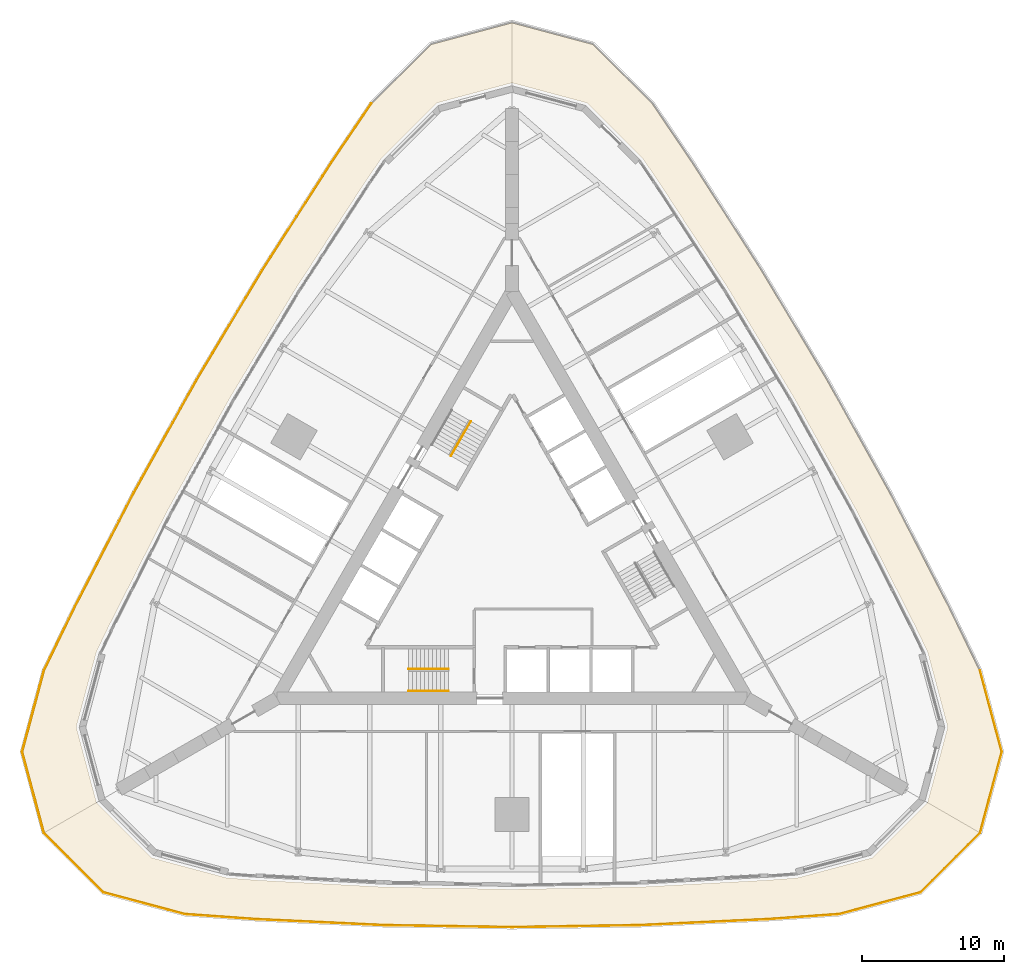
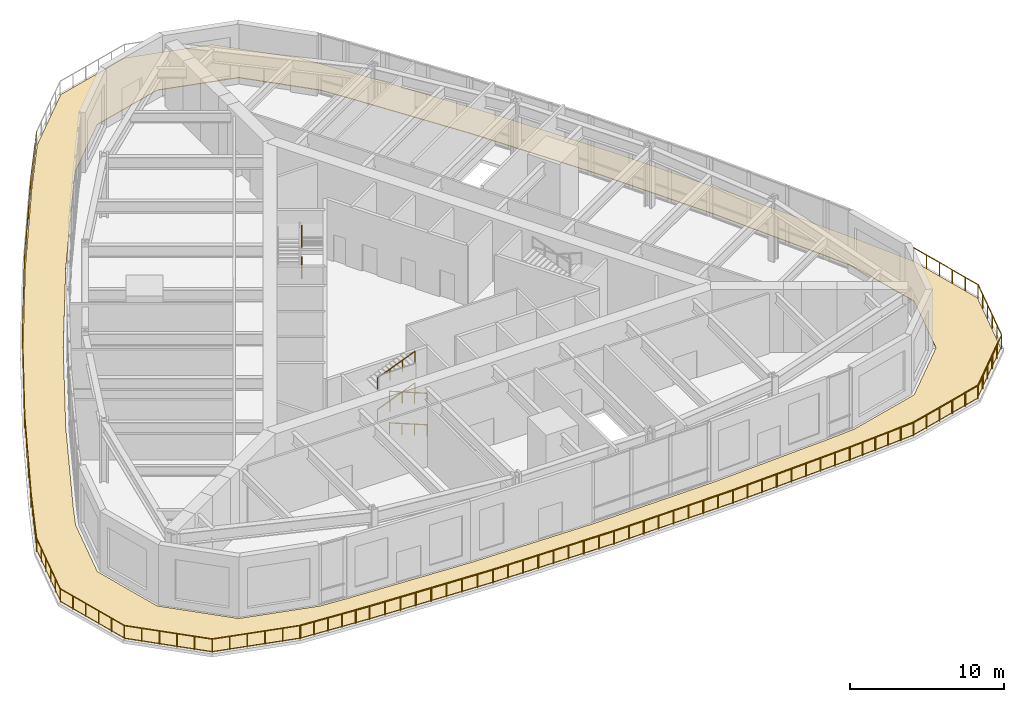
# One storey, part 12 of 13: 8 railings, 1 covering.
"""IFC4 building model written with IfcOpenShell, lengths in metres."""

import ifcopenshell
import ifcopenshell.guid

model = None  # the IFC model being written
_history = None  # IfcOwnerHistory: only IFC2X3 demands one
_inside = {}  # id of a spatial element -> (the spatial element, [elements in it])
_under = {}  # id of a project, library or spatial element -> (it, [spatial elements below it])
_declared = {}  # id of a project -> (the project, [libraries it declares])
_typed = {}  # id of a type object -> (the type object, [elements of that type])
_made_of = {}  # id of a material, layer set ... -> (it, [elements and type objects made of it])


def new_model(schema):
    """Start an empty IFC model of exactly this schema.

    Asked for "IFC4X3", IfcOpenShell would pick the latest addendum, in which some entities
    have other attributes; the version numbers below select the first issue.
    IFC2X3 requires an IfcOwnerHistory on every rooted entity: one is made here for all.
    """
    global model, _history
    if schema == "IFC4X3":
        model = ifcopenshell.file(schema_version=(4, 3, 0, 0))
    else:
        model = ifcopenshell.file(schema=schema)
    _inside.clear()
    _under.clear()
    _declared.clear()
    _typed.clear()
    _made_of.clear()
    _history = None
    if model.schema == "IFC2X3":
        org = make("IfcOrganization", Name="unknown")
        user = make(
            "IfcPersonAndOrganization",
            ThePerson=make("IfcPerson", FamilyName="unknown"),
            TheOrganization=org,
        )
        app = make(
            "IfcApplication",
            ApplicationDeveloper=org,
            Version="unknown",
            ApplicationFullName="unknown",
            ApplicationIdentifier="unknown",
        )
        _history = make(
            "IfcOwnerHistory",
            OwningUser=user,
            OwningApplication=app,
            ChangeAction="ADDED",
            CreationDate=0,
        )
    return model


def make(cls, **values):
    """One entity of the class cls with the attributes given. An attribute that is None is left unset."""
    return model.create_entity(
        cls, **{name: value for name, value in values.items() if value is not None}
    )


def rooted(cls, **values):
    """An entity with a GlobalId (a new one), such as an element, a storey or a relation."""
    return make(cls, GlobalId=ifcopenshell.guid.new(), OwnerHistory=_history, **values)


def si_unit(unit_type, name, prefix=None):
    """IfcSIUnit, for example si_unit("LENGTHUNIT", "METRE", prefix="MILLI")."""
    return make("IfcSIUnit", UnitType=unit_type, Prefix=prefix, Name=name)


def assignment(units):
    """IfcUnitAssignment: the units of a project."""
    return None if units is None else make("IfcUnitAssignment", Units=units)


def point(xyz):
    """IfcCartesianPoint."""
    return None if xyz is None else make("IfcCartesianPoint", Coordinates=xyz)


def direction(xyz):
    """IfcDirection."""
    return None if xyz is None else make("IfcDirection", DirectionRatios=xyz)


def frame(location, z_axis=None, x_axis=None):
    """IfcAxis2Placement3D, a coordinate frame: its origin and axes. An axis left out is left unset."""
    return make(
        "IfcAxis2Placement3D",
        Location=point(location),
        Axis=direction(z_axis),
        RefDirection=direction(x_axis),
    )


def frame_2d(location, x_axis=None):
    """IfcAxis2Placement2D, a coordinate frame in the plane: its origin and x axis."""
    return make(
        "IfcAxis2Placement2D", Location=point(location), RefDirection=direction(x_axis)
    )


def origin():
    """The frame at (0, 0, 0) with its axes left unset."""
    return frame((0.0, 0.0, 0.0))


def origin_2d():
    """The frame at (0, 0) in the plane with its x axis left unset."""
    return frame_2d((0.0, 0.0))


def place(relative_to, where):
    """IfcLocalPlacement: puts the frame where relative to a parent placement (None: the world)."""
    return make(
        "IfcLocalPlacement", PlacementRelTo=relative_to, RelativePlacement=where
    )


def context(
    kind, dimensions, precision=None, world=None, true_north=None, identifier=None
):
    """IfcGeometricRepresentationContext, for example the 3D "Model" context."""
    return make(
        "IfcGeometricRepresentationContext",
        ContextIdentifier=identifier,
        ContextType=kind,
        CoordinateSpaceDimension=dimensions,
        Precision=precision,
        WorldCoordinateSystem=world,
        TrueNorth=true_north,
    )


def subcontext(parent, identifier, kind, view, scale=None):
    """IfcGeometricRepresentationSubContext, for example "Body" below "Model"."""
    return make(
        "IfcGeometricRepresentationSubContext",
        ContextIdentifier=identifier,
        ContextType=kind,
        ParentContext=parent,
        TargetScale=scale,
        TargetView=view,
    )


def project(units=None, contexts=None):
    """IfcProject with its units and contexts."""
    return rooted(
        "IfcProject",
        Name="project",
        RepresentationContexts=contexts,
        UnitsInContext=assignment(units),
    )


def spatial(cls, under=None, at=None, **own):
    """A site, building, storey or space (cls), placed at a placement, below another one or the project."""
    s = rooted(cls, ObjectPlacement=at, **own)
    if under is not None:
        _under.setdefault(under.id(), (under, []))[1].append(s)
    return s


def polyline(points):
    """IfcPolyline through the points."""
    return make("IfcPolyline", Points=[point(p) for p in points])


def profile(cls, at=None, kind="AREA", **sizes):
    """A parametric profile (cls). Its sizes go by their IFC names, for example OverallWidth=200.0."""
    return make(cls, ProfileType=kind, Position=at, **sizes)


def circle(**sizes):
    """IfcCircleProfileDef."""
    return profile("IfcCircleProfileDef", **sizes)


def outline(outer, holes=None, kind="AREA"):
    """IfcArbitraryClosedProfileDef: a profile drawn as a closed curve; with holes, ...WithVoids."""
    if holes is None:
        return make("IfcArbitraryClosedProfileDef", ProfileType=kind, OuterCurve=outer)
    return make(
        "IfcArbitraryProfileDefWithVoids",
        ProfileType=kind,
        OuterCurve=outer,
        InnerCurves=holes,
    )


def extrude(swept, where, along, depth):
    """IfcExtrudedAreaSolid: the profile swept, set in the frame where, extruded along a direction by depth."""
    return make(
        "IfcExtrudedAreaSolid",
        SweptArea=swept,
        Position=where,
        ExtrudedDirection=direction(along),
        Depth=depth,
    )


def shape(context_of_items, identifier, shape_type, items):
    """IfcShapeRepresentation: the items that make up one representation, for example the "Body"."""
    return make(
        "IfcShapeRepresentation",
        ContextOfItems=context_of_items,
        RepresentationIdentifier=identifier,
        RepresentationType=shape_type,
        Items=items,
    )


def material(Name=None, Category=None):
    """IfcMaterial."""
    return make("IfcMaterial", Name=Name, Category=Category)


def layer(
    of_material, thickness, ventilated=None, Name=None, Category=None, Priority=None
):
    """IfcMaterialLayer: one layer of a wall or slab, of a material (None: an air gap)."""
    return make(
        "IfcMaterialLayer",
        Material=of_material,
        LayerThickness=thickness,
        IsVentilated=ventilated,
        Name=Name,
        Category=Category,
        Priority=Priority,
    )


def layer_set(layers, Name=None):
    """IfcMaterialLayerSet."""
    return make("IfcMaterialLayerSet", MaterialLayers=layers, LayerSetName=Name)


def made_of(thing, what):
    """Note that an element or type object is made of a material, layer set ...; save() writes the relation."""
    if what is not None:
        _made_of.setdefault(what.id(), (what, []))[1].append(thing)
    return thing


def type_object(cls, material=None, **own):
    """A type object (cls), such as IfcWallType, which elements share."""
    return made_of(rooted(cls, **own), material)


def element(
    cls,
    number,
    at=None,
    inside=None,
    cuts=None,
    type_object=None,
    material=None,
    context=None,
    identifier="Body",
    shape_type=None,
    held_by="IfcProductDefinitionShape",
    body=None,
    shapes=None,
    **own,
):
    """One element of the class cls, such as IfcWall. Its Tag is "e" and its number.

    at: its placement. inside: the storey or other place that contains it. cuts: it is an
    opening in that element (IfcRelVoidsElement). A single representation is given by context,
    identifier, shape_type and body (its items); several are given by shapes. held_by: the class
    of the entity that holds the representations. save() writes the other relations.
    """
    e = rooted(cls, Tag="e%d" % number, ObjectPlacement=at, **own)
    if body is not None:
        shapes = [shape(context, identifier, shape_type, body)]
    if shapes is not None:
        e.Representation = make(held_by, Representations=shapes)
    if inside is not None:
        _inside.setdefault(inside.id(), (inside, []))[1].append(e)
    if cuts is not None:
        rooted(
            "IfcRelVoidsElement", RelatingBuildingElement=cuts, RelatedOpeningElement=e
        )
    if type_object is not None:
        _typed.setdefault(type_object.id(), (type_object, []))[1].append(e)
    return made_of(e, material)


def aggregate(whole, parts):
    """IfcRelAggregates: a whole, such as a stair, and the parts it consists of."""
    return rooted("IfcRelAggregates", RelatingObject=whole, RelatedObjects=parts)


def save(model, path):
    """Write the relations noted so far, then the file.

    IfcRelAggregates (storeys below a building ...), IfcRelContainedInSpatialStructure (elements
    in a storey), IfcRelDefinesByType, IfcRelAssociatesMaterial and IfcRelDeclares: one each for
    every whole, place, type object, material and project.
    """
    for whole, parts in _under.values():
        aggregate(whole, parts)
    for where, things in _inside.values():
        rooted(
            "IfcRelContainedInSpatialStructure",
            RelatedElements=things,
            RelatingStructure=where,
        )
    for kind, things in _typed.values():
        rooted("IfcRelDefinesByType", RelatedObjects=things, RelatingType=kind)
    for what, things in _made_of.values():
        rooted("IfcRelAssociatesMaterial", RelatedObjects=things, RelatingMaterial=what)
    for by, libraries in _declared.values():
        rooted("IfcRelDeclares", RelatingContext=by, RelatedDefinitions=libraries)
    model.write(path)


model = new_model("IFC4")

# Units and contexts
model_context = context("Model", 3, precision=1e-05, world=origin(), true_north=direction((0.0, 1.0)))
body_context = subcontext(model_context, "Body", "Model", "MODEL_VIEW")
ifc_project = project(units=[si_unit("LENGTHUNIT", "METRE"), si_unit("AREAUNIT", "SQUARE_METRE"), si_unit("VOLUMEUNIT", "CUBIC_METRE"), si_unit("PLANEANGLEUNIT", "RADIAN"), si_unit("MASSUNIT", "GRAM", prefix="KILO")], contexts=[model_context])

# Site, building, storey
site_placement = place(None, origin())
site = spatial("IfcSite", under=ifc_project, at=site_placement, CompositionType="ELEMENT")
building_placement = place(site_placement, origin())
building = spatial("IfcBuilding", under=site, at=building_placement, Name="Trikona Tower", CompositionType="ELEMENT")
storey_placement = place(building_placement, frame((0.0, 0.0, 17.5)))
storey = spatial("IfcBuildingStorey", under=building, at=storey_placement, Name="L03", CompositionType="ELEMENT", Elevation=17.5)

# Railings
ifc_material_1 = material(Name="Stainless steel handrail", Category="steel")
railing_type_1 = type_object("IfcRailingType", Name="Stair handrail", PredefinedType="HANDRAIL", material=ifc_material_1)
railing_1_placement = place(storey_placement, frame((-4.449951171875, -9.016357421875, 0.113525390625)))
element("IfcRailing", 1, at=railing_1_placement, inside=storey, type_object=railing_type_1, Name="Stair handrail A L03 1", PredefinedType="HANDRAIL", context=body_context, shape_type="SweptSolid", body=[
    extrude(circle(Radius=0.02392578125, at=origin_2d()), frame((0.0, 0.0, 0.8759765625), z_axis=(-0.926587139796, 0.0, 0.37608014088), x_axis=(0.0, -1.0, 0.0)), (0.0, 0.0, 1.0), 3.02197265625),
    extrude(circle(Radius=0.02099609375, at=origin_2d()), origin(), (0.0, 0.0, 1.0), 0.851806640625),
    extrude(circle(Radius=0.02099609375, at=origin_2d()), frame((-0.933349609375, 0.0, 0.37890625)), (0.0, 0.0, 1.0), 0.851806640625),
    extrude(circle(Radius=0.02099609375, at=origin_2d()), frame((-1.86669921875, 0.0, 0.757568359375)), (0.0, 0.0, 1.0), 0.851806640625),
    extrude(circle(Radius=0.02099609375, at=origin_2d()), frame((-2.800048828125, 0.0, 1.136474609375)), (0.0, 0.0, 1.0), 0.851806640625),
])
railing_2_placement = place(storey_placement, frame((-7.25, -7.46630859375, 1.363525390625)))
element("IfcRailing", 2, at=railing_2_placement, inside=storey, type_object=railing_type_1, Name="Stair handrail A L03 2", PredefinedType="HANDRAIL", context=body_context, shape_type="SweptSolid", body=[
    extrude(circle(Radius=0.02392578125, at=origin_2d()), frame((0.0, 0.0, 0.8759765625), z_axis=(0.926587139796, 0.0, 0.37608014088), x_axis=(0.0, 1.0, 0.0)), (0.0, 0.0, 1.0), 3.02197265625),
    extrude(circle(Radius=0.02099609375, at=origin_2d()), origin(), (0.0, 0.0, 1.0), 0.851806640625),
    extrude(circle(Radius=0.02099609375, at=origin_2d()), frame((0.933349609375, 0.0, 0.37890625)), (0.0, 0.0, 1.0), 0.851806640625),
    extrude(circle(Radius=0.02099609375, at=origin_2d()), frame((1.86669921875, 0.0, 0.757568359375)), (0.0, 0.0, 1.0), 0.851806640625),
    extrude(circle(Radius=0.02099609375, at=origin_2d()), frame((2.800048828125, 0.0, 1.136474609375)), (0.0, 0.0, 1.0), 0.851806640625),
])
railing_3_placement = place(storey_placement, frame((-4.449951171875, -9.016357421875, 2.613525390625)))
element("IfcRailing", 3, at=railing_3_placement, inside=storey, type_object=railing_type_1, Name="Stair handrail A L03 3", PredefinedType="HANDRAIL", context=body_context, shape_type="SweptSolid", body=[
    extrude(circle(Radius=0.02392578125, at=origin_2d()), frame((0.0, 0.0, 0.8759765625), z_axis=(-0.926587139796, 0.0, 0.37608014088), x_axis=(0.0, -1.0, 0.0)), (0.0, 0.0, 1.0), 3.02197265625),
    extrude(circle(Radius=0.02099609375, at=origin_2d()), origin(), (0.0, 0.0, 1.0), 0.851806640625),
    extrude(circle(Radius=0.02099609375, at=origin_2d()), frame((-0.933349609375, 0.0, 0.37890625)), (0.0, 0.0, 1.0), 0.851806640625),
    extrude(circle(Radius=0.02099609375, at=origin_2d()), frame((-1.86669921875, 0.0, 0.757568359375)), (0.0, 0.0, 1.0), 0.851806640625),
    extrude(circle(Radius=0.02099609375, at=origin_2d()), frame((-2.800048828125, 0.0, 1.136474609375)), (0.0, 0.0, 1.0), 0.851806640625),
])
railing_4_placement = place(storey_placement, frame((-7.25, -7.46630859375, 3.863525390625)))
element("IfcRailing", 4, at=railing_4_placement, inside=storey, type_object=railing_type_1, Name="Stair handrail A L03 4", PredefinedType="HANDRAIL", context=body_context, shape_type="SweptSolid", body=[
    extrude(circle(Radius=0.02392578125, at=origin_2d()), frame((0.0, 0.0, 0.8759765625), z_axis=(0.926587139796, 0.0, 0.37608014088), x_axis=(0.0, 1.0, 0.0)), (0.0, 0.0, 1.0), 3.02197265625),
    extrude(circle(Radius=0.02099609375, at=origin_2d()), origin(), (0.0, 0.0, 1.0), 0.851806640625),
    extrude(circle(Radius=0.02099609375, at=origin_2d()), frame((0.933349609375, 0.0, 0.37890625)), (0.0, 0.0, 1.0), 0.851806640625),
    extrude(circle(Radius=0.02099609375, at=origin_2d()), frame((1.86669921875, 0.0, 0.757568359375)), (0.0, 0.0, 1.0), 0.851806640625),
    extrude(circle(Radius=0.02099609375, at=origin_2d()), frame((2.800048828125, 0.0, 1.136474609375)), (0.0, 0.0, 1.0), 0.851806640625),
])
for number, where, name in (
    (5, (-2.89111328125, 9.92529296875, 1.363525390625), "Stair handrail C L03 2"),
    (6, (-2.89111328125, 9.92529296875, 3.863525390625), "Stair handrail C L03 4"),
):
    element("IfcRailing", number, at=place(storey_placement, frame(where)), inside=storey, type_object=railing_type_1, Name=name, PredefinedType="HANDRAIL", context=body_context, shape_type="SweptSolid", body=[
        extrude(circle(Radius=0.02392578125, at=origin_2d()), frame((0.0, 0.0, 0.8759765625), z_axis=(-0.463245186179, -0.802478973547, 0.376073655679), x_axis=(0.866056369097, -0.49994636267, 0.0)), (0.0, 0.0, 1.0), 3.02197265625),
        extrude(circle(Radius=0.02099609375, at=origin_2d()), origin(), (0.0, 0.0, 1.0), 0.851806640625),
        extrude(circle(Radius=0.02099609375, at=origin_2d()), frame((-0.466552734375, -0.808349609375, 0.37890625)), (0.0, 0.0, 1.0), 0.851806640625),
        extrude(circle(Radius=0.02099609375, at=origin_2d()), frame((-0.933349609375, -1.61669921875, 0.757568359375)), (0.0, 0.0, 1.0), 0.851806640625),
        extrude(circle(Radius=0.02099609375, at=origin_2d()), frame((-1.39990234375, -2.425048828125, 1.136474609375)), (0.0, 0.0, 1.0), 0.851806640625),
    ])
ifc_material_2 = material(Name="Stainless steel guard with glass infill", Category="steel")
railing_type_2 = type_object("IfcRailingType", Name="Terrace guard 1100", PredefinedType="GUARDRAIL", material=ifc_material_2)
railing_5_placement = place(storey_placement, frame((-22.97509765625, -24.677490234375, 0.0)))
element("IfcRailing", 7, at=railing_5_placement, inside=storey, type_object=railing_type_2, Name="Terrace guard L03-1", PredefinedType="GUARDRAIL", context=body_context, shape_type="SweptSolid", body=[
    extrude(circle(Radius=0.02392578125, at=origin_2d()), frame((0.0, 0.0, 1.076171875), z_axis=(-0.965921554257, 0.258834988016, 0.0), x_axis=(-0.258834988016, -0.965921554257, 0.0)), (0.0, 0.0, 1.0), 5.922607421875),
    extrude(circle(Radius=0.02392578125, at=origin_2d()), frame((-5.720703125, 1.532958984375, 1.076171875), z_axis=(-0.707127482549, 0.707086079218, 0.0), x_axis=(-0.707086079218, -0.707127482549, 0.0)), (0.0, 0.0, 1.0), 5.896728515625),
    extrude(circle(Radius=0.02392578125, at=origin_2d()), frame((-9.890380859375, 5.702392578125, 1.076171875), z_axis=(-0.258798857805, 0.965931235233, 0.0), x_axis=(-0.965931235233, -0.258798857805, 0.0)), (0.0, 0.0, 1.0), 5.89697265625),
    extrude(circle(Radius=0.02392578125, at=origin_2d()), frame((-11.41650390625, 11.3984375, 1.076171875), z_axis=(0.258796526786, 0.965931859772, 0.0), x_axis=(-0.965931859772, 0.258796526786, 0.0)), (0.0, 0.0, 1.0), 5.92236328125),
    extrude(circle(Radius=0.02392578125, at=origin_2d()), frame((-9.8837890625, 17.119140625, 1.076171875), z_axis=(0.43711969829, 0.899403340758, 0.0), x_axis=(-0.899403340758, 0.43711969829, 0.0)), (0.0, 0.0, 1.0), 4.99658203125),
    extrude(circle(Radius=0.02392578125, at=origin_2d()), frame((-7.69970703125, 21.613037109375, 1.076171875), z_axis=(0.458843161129, 0.888517278102, 0.0), x_axis=(-0.888517278102, 0.458843161129, 0.0)), (0.0, 0.0, 1.0), 9.005859375),
    extrude(circle(Radius=0.02392578125, at=origin_2d()), frame((-3.5673828125, 29.614990234375, 1.076171875), z_axis=(0.48638468416, 0.873744779106, 0.0), x_axis=(-0.873744779106, 0.48638468416, 0.0)), (0.0, 0.0, 1.0), 8.996337890625),
    extrude(circle(Radius=0.02392578125, at=origin_2d()), frame((0.808349609375, 37.4755859375, 1.076171875), z_axis=(0.513497701225, 0.858090968858, 0.0), x_axis=(-0.858090968858, 0.513497701225, 0.0)), (0.0, 0.0, 1.0), 8.996337890625),
    extrude(circle(Radius=0.02392578125, at=origin_2d()), frame((5.427978515625, 45.1953125, 1.076171875), z_axis=(0.540057243135, 0.841628287391, 0.0), x_axis=(-0.841628287391, 0.540057243135, 0.0)), (0.0, 0.0, 1.0), 9.005615234375),
    extrude(circle(Radius=0.02392578125, at=origin_2d()), frame((10.29150390625, 52.774658203125, 1.076171875), z_axis=(0.56034781863, 0.828257400907, 0.0), x_axis=(-0.828257400907, 0.56034781863, 0.0)), (0.0, 0.0, 1.0), 4.99658203125),
    extrude(circle(Radius=0.02099609375, at=origin_2d()), origin(), (0.0, 0.0, 1.0), 1.052001953125),
    extrude(circle(Radius=0.02099609375, at=origin_2d()), frame((-1.14404296875, 0.306640625, 0.0)), (0.0, 0.0, 1.0), 1.052001953125),
    extrude(circle(Radius=0.02099609375, at=origin_2d()), frame((-2.288330078125, 0.61328125, 0.0)), (0.0, 0.0, 1.0), 1.052001953125),
    extrude(circle(Radius=0.02099609375, at=origin_2d()), frame((-3.432373046875, 0.919677734375, 0.0)), (0.0, 0.0, 1.0), 1.052001953125),
    extrude(circle(Radius=0.02099609375, at=origin_2d()), frame((-4.57666015625, 1.226318359375, 0.0)), (0.0, 0.0, 1.0), 1.052001953125),
    extrude(circle(Radius=0.02099609375, at=origin_2d()), frame((-5.720703125, 1.532958984375, 0.0)), (0.0, 0.0, 1.0), 1.052001953125),
    extrude(circle(Radius=0.02099609375, at=origin_2d()), frame((-6.5546875, 2.366943359375, 0.0)), (0.0, 0.0, 1.0), 1.052001953125),
    extrude(circle(Radius=0.02099609375, at=origin_2d()), frame((-7.388671875, 3.20068359375, 0.0)), (0.0, 0.0, 1.0), 1.052001953125),
    extrude(circle(Radius=0.02099609375, at=origin_2d()), frame((-8.222412109375, 4.03466796875, 0.0)), (0.0, 0.0, 1.0), 1.052001953125),
    extrude(circle(Radius=0.02099609375, at=origin_2d()), frame((-9.056396484375, 4.868408203125, 0.0)), (0.0, 0.0, 1.0), 1.052001953125),
    extrude(circle(Radius=0.02099609375, at=origin_2d()), frame((-9.890380859375, 5.702392578125, 0.0)), (0.0, 0.0, 1.0), 1.052001953125),
    extrude(circle(Radius=0.02099609375, at=origin_2d()), frame((-10.195556640625, 6.841552734375, 0.0)), (0.0, 0.0, 1.0), 1.052001953125),
    extrude(circle(Radius=0.02099609375, at=origin_2d()), frame((-10.500732421875, 7.980712890625, 0.0)), (0.0, 0.0, 1.0), 1.052001953125),
    extrude(circle(Radius=0.02099609375, at=origin_2d()), frame((-10.80615234375, 9.1201171875, 0.0)), (0.0, 0.0, 1.0), 1.052001953125),
    extrude(circle(Radius=0.02099609375, at=origin_2d()), frame((-11.111328125, 10.25927734375, 0.0)), (0.0, 0.0, 1.0), 1.052001953125),
    extrude(circle(Radius=0.02099609375, at=origin_2d()), frame((-11.41650390625, 11.3984375, 0.0)), (0.0, 0.0, 1.0), 1.052001953125),
    extrude(circle(Radius=0.02099609375, at=origin_2d()), frame((-11.10986328125, 12.54248046875, 0.0)), (0.0, 0.0, 1.0), 1.052001953125),
    extrude(circle(Radius=0.02099609375, at=origin_2d()), frame((-10.803466796875, 13.686767578125, 0.0)), (0.0, 0.0, 1.0), 1.052001953125),
    extrude(circle(Radius=0.02099609375, at=origin_2d()), frame((-10.496826171875, 14.830810546875, 0.0)), (0.0, 0.0, 1.0), 1.052001953125),
    extrude(circle(Radius=0.02099609375, at=origin_2d()), frame((-10.1904296875, 15.97509765625, 0.0)), (0.0, 0.0, 1.0), 1.052001953125),
    extrude(circle(Radius=0.02099609375, at=origin_2d()), frame((-9.8837890625, 17.119140625, 0.0)), (0.0, 0.0, 1.0), 1.052001953125),
    extrude(circle(Radius=0.02099609375, at=origin_2d()), frame((-9.447021484375, 18.017822265625, 0.0)), (0.0, 0.0, 1.0), 1.052001953125),
    extrude(circle(Radius=0.02099609375, at=origin_2d()), frame((-9.01025390625, 18.916748046875, 0.0)), (0.0, 0.0, 1.0), 1.052001953125),
    extrude(circle(Radius=0.02099609375, at=origin_2d()), frame((-8.5732421875, 19.8154296875, 0.0)), (0.0, 0.0, 1.0), 1.052001953125),
    extrude(circle(Radius=0.02099609375, at=origin_2d()), frame((-8.136474609375, 20.71435546875, 0.0)), (0.0, 0.0, 1.0), 1.052001953125),
    extrude(circle(Radius=0.02099609375, at=origin_2d()), frame((-7.69970703125, 21.613037109375, 0.0)), (0.0, 0.0, 1.0), 1.052001953125),
    extrude(circle(Radius=0.02099609375, at=origin_2d()), frame((-7.18310546875, 22.61328125, 0.0)), (0.0, 0.0, 1.0), 1.052001953125),
    extrude(circle(Radius=0.02099609375, at=origin_2d()), frame((-6.66650390625, 23.613525390625, 0.0)), (0.0, 0.0, 1.0), 1.052001953125),
    extrude(circle(Radius=0.02099609375, at=origin_2d()), frame((-6.150146484375, 24.61376953125, 0.0)), (0.0, 0.0, 1.0), 1.052001953125),
    extrude(circle(Radius=0.02099609375, at=origin_2d()), frame((-5.633544921875, 25.614013671875, 0.0)), (0.0, 0.0, 1.0), 1.052001953125),
    extrude(circle(Radius=0.02099609375, at=origin_2d()), frame((-5.116943359375, 26.6142578125, 0.0)), (0.0, 0.0, 1.0), 1.052001953125),
    extrude(circle(Radius=0.02099609375, at=origin_2d()), frame((-4.6005859375, 27.614501953125, 0.0)), (0.0, 0.0, 1.0), 1.052001953125),
    extrude(circle(Radius=0.02099609375, at=origin_2d()), frame((-4.083984375, 28.61474609375, 0.0)), (0.0, 0.0, 1.0), 1.052001953125),
    extrude(circle(Radius=0.02099609375, at=origin_2d()), frame((-3.5673828125, 29.614990234375, 0.0)), (0.0, 0.0, 1.0), 1.052001953125),
    extrude(circle(Radius=0.02099609375, at=origin_2d()), frame((-3.0205078125, 30.59765625, 0.0)), (0.0, 0.0, 1.0), 1.052001953125),
    extrude(circle(Radius=0.02099609375, at=origin_2d()), frame((-2.473388671875, 31.580078125, 0.0)), (0.0, 0.0, 1.0), 1.052001953125),
    extrude(circle(Radius=0.02099609375, at=origin_2d()), frame((-1.926513671875, 32.562744140625, 0.0)), (0.0, 0.0, 1.0), 1.052001953125),
    extrude(circle(Radius=0.02099609375, at=origin_2d()), frame((-1.37939453125, 33.54541015625, 0.0)), (0.0, 0.0, 1.0), 1.052001953125),
    extrude(circle(Radius=0.02099609375, at=origin_2d()), frame((-0.83251953125, 34.52783203125, 0.0)), (0.0, 0.0, 1.0), 1.052001953125),
    extrude(circle(Radius=0.02099609375, at=origin_2d()), frame((-0.28564453125, 35.510498046875, 0.0)), (0.0, 0.0, 1.0), 1.052001953125),
    extrude(circle(Radius=0.02099609375, at=origin_2d()), frame((0.261474609375, 36.492919921875, 0.0)), (0.0, 0.0, 1.0), 1.052001953125),
    extrude(circle(Radius=0.02099609375, at=origin_2d()), frame((0.808349609375, 37.4755859375, 0.0)), (0.0, 0.0, 1.0), 1.052001953125),
    extrude(circle(Radius=0.02099609375, at=origin_2d()), frame((1.3857421875, 38.4404296875, 0.0)), (0.0, 0.0, 1.0), 1.052001953125),
    extrude(circle(Radius=0.02099609375, at=origin_2d()), frame((1.96337890625, 39.405517578125, 0.0)), (0.0, 0.0, 1.0), 1.052001953125),
    extrude(circle(Radius=0.02099609375, at=origin_2d()), frame((2.540771484375, 40.37060546875, 0.0)), (0.0, 0.0, 1.0), 1.052001953125),
    extrude(circle(Radius=0.02099609375, at=origin_2d()), frame((3.1181640625, 41.33544921875, 0.0)), (0.0, 0.0, 1.0), 1.052001953125),
    extrude(circle(Radius=0.02099609375, at=origin_2d()), frame((3.695556640625, 42.30029296875, 0.0)), (0.0, 0.0, 1.0), 1.052001953125),
    extrude(circle(Radius=0.02099609375, at=origin_2d()), frame((4.27294921875, 43.265380859375, 0.0)), (0.0, 0.0, 1.0), 1.052001953125),
    extrude(circle(Radius=0.02099609375, at=origin_2d()), frame((4.8505859375, 44.23046875, 0.0)), (0.0, 0.0, 1.0), 1.052001953125),
    extrude(circle(Radius=0.02099609375, at=origin_2d()), frame((5.427978515625, 45.1953125, 0.0)), (0.0, 0.0, 1.0), 1.052001953125),
    extrude(circle(Radius=0.02099609375, at=origin_2d()), frame((6.035888671875, 46.142822265625, 0.0)), (0.0, 0.0, 1.0), 1.052001953125),
    extrude(circle(Radius=0.02099609375, at=origin_2d()), frame((6.643798828125, 47.090087890625, 0.0)), (0.0, 0.0, 1.0), 1.052001953125),
    extrude(circle(Radius=0.02099609375, at=origin_2d()), frame((7.251708984375, 48.03759765625, 0.0)), (0.0, 0.0, 1.0), 1.052001953125),
    extrude(circle(Radius=0.02099609375, at=origin_2d()), frame((7.85986328125, 48.98486328125, 0.0)), (0.0, 0.0, 1.0), 1.052001953125),
    extrude(circle(Radius=0.02099609375, at=origin_2d()), frame((8.4677734375, 49.932373046875, 0.0)), (0.0, 0.0, 1.0), 1.052001953125),
    extrude(circle(Radius=0.02099609375, at=origin_2d()), frame((9.07568359375, 50.8798828125, 0.0)), (0.0, 0.0, 1.0), 1.052001953125),
    extrude(circle(Radius=0.02099609375, at=origin_2d()), frame((9.68359375, 51.8271484375, 0.0)), (0.0, 0.0, 1.0), 1.052001953125),
    extrude(circle(Radius=0.02099609375, at=origin_2d()), frame((10.29150390625, 52.774658203125, 0.0)), (0.0, 0.0, 1.0), 1.052001953125),
    extrude(circle(Radius=0.02099609375, at=origin_2d()), frame((10.8515625, 53.602294921875, 0.0)), (0.0, 0.0, 1.0), 1.052001953125),
    extrude(circle(Radius=0.02099609375, at=origin_2d()), frame((11.411376953125, 54.429931640625, 0.0)), (0.0, 0.0, 1.0), 1.052001953125),
    extrude(circle(Radius=0.02099609375, at=origin_2d()), frame((11.971435546875, 55.2578125, 0.0)), (0.0, 0.0, 1.0), 1.052001953125),
    extrude(circle(Radius=0.02099609375, at=origin_2d()), frame((12.53125, 56.08544921875, 0.0)), (0.0, 0.0, 1.0), 1.052001953125),
    extrude(circle(Radius=0.02099609375, at=origin_2d()), frame((13.09130859375, 56.9130859375, 0.0)), (0.0, 0.0, 1.0), 1.052001953125),
])
railing_6_placement = place(storey_placement, frame((32.85888671875, -7.558349609375, 0.0)))
element("IfcRailing", 8, at=railing_6_placement, inside=storey, type_object=railing_type_2, Name="Terrace guard L03-3", PredefinedType="GUARDRAIL", context=body_context, shape_type="SweptSolid", body=[
    extrude(circle(Radius=0.02392578125, at=origin_2d()), frame((0.0, 0.0, 1.076171875), z_axis=(0.258796526786, -0.965931859772, 0.0), x_axis=(0.965931859772, 0.258796526786, 0.0)), (0.0, 0.0, 1.0), 5.92236328125),
    extrude(circle(Radius=0.02392578125, at=origin_2d()), frame((1.53271484375, -5.720703125, 1.076171875), z_axis=(-0.258798857805, -0.965931235233, 0.0), x_axis=(0.965931235233, -0.258798857805, 0.0)), (0.0, 0.0, 1.0), 5.89697265625),
    extrude(circle(Radius=0.02392578125, at=origin_2d()), frame((0.006591796875, -11.416748046875, 1.076171875), z_axis=(-0.707127482549, -0.707086079218, 0.0), x_axis=(0.707086079218, -0.707127482549, 0.0)), (0.0, 0.0, 1.0), 5.896728515625),
    extrude(circle(Radius=0.02392578125, at=origin_2d()), frame((-4.1630859375, -15.586181640625, 1.076171875), z_axis=(-0.965921554257, -0.258834988016, 0.0), x_axis=(0.258834988016, -0.965921554257, 0.0)), (0.0, 0.0, 1.0), 5.922607421875),
    extrude(circle(Radius=0.02392578125, at=origin_2d()), frame((-9.8837890625, -17.119140625, 1.076171875), z_axis=(-0.997466135284, -0.071142877093, 0.0), x_axis=(0.071142877093, -0.997466135284, 0.0)), (0.0, 0.0, 1.0), 4.99658203125),
    extrude(circle(Radius=0.02392578125, at=origin_2d()), frame((-14.86767578125, -17.474609375, 1.076171875), z_axis=(-0.998899625161, -0.046899241499, 0.0), x_axis=(0.046899241499, -0.998899625161, 0.0)), (0.0, 0.0, 1.0), 9.005859375),
    extrude(circle(Radius=0.02392578125, at=origin_2d()), frame((-23.863525390625, -17.89697265625, 1.076171875), z_axis=(-0.999877401647, -0.015658278213, 0.0), x_axis=(0.015658278213, -0.999877401647, 0.0)), (0.0, 0.0, 1.0), 8.99658203125),
    extrude(circle(Radius=0.02392578125, at=origin_2d()), frame((-32.85888671875, -18.037841796875, 1.076171875), z_axis=(-0.999877401647, 0.015658278213, 0.0), x_axis=(-0.015658278213, -0.999877401647, 0.0)), (0.0, 0.0, 1.0), 8.99658203125),
    extrude(circle(Radius=0.02392578125, at=origin_2d()), frame((-41.854248046875, -17.89697265625, 1.076171875), z_axis=(-0.998899625161, 0.046899241499, 0.0), x_axis=(-0.046899241499, -0.998899625161, 0.0)), (0.0, 0.0, 1.0), 9.005859375),
    extrude(circle(Radius=0.02392578125, at=origin_2d()), frame((-50.85009765625, -17.474609375, 1.076171875), z_axis=(-0.997466135284, 0.071142877093, 0.0), x_axis=(-0.071142877093, -0.997466135284, 0.0)), (0.0, 0.0, 1.0), 4.99658203125),
    extrude(circle(Radius=0.02099609375, at=origin_2d()), origin(), (0.0, 0.0, 1.0), 1.052001953125),
    extrude(circle(Radius=0.02099609375, at=origin_2d()), frame((0.306640625, -1.14404296875, 0.0)), (0.0, 0.0, 1.0), 1.052001953125),
    extrude(circle(Radius=0.02099609375, at=origin_2d()), frame((0.613037109375, -2.288330078125, 0.0)), (0.0, 0.0, 1.0), 1.052001953125),
    extrude(circle(Radius=0.02099609375, at=origin_2d()), frame((0.919677734375, -3.432373046875, 0.0)), (0.0, 0.0, 1.0), 1.052001953125),
    extrude(circle(Radius=0.02099609375, at=origin_2d()), frame((1.22607421875, -4.57666015625, 0.0)), (0.0, 0.0, 1.0), 1.052001953125),
    extrude(circle(Radius=0.02099609375, at=origin_2d()), frame((1.53271484375, -5.720703125, 0.0)), (0.0, 0.0, 1.0), 1.052001953125),
    extrude(circle(Radius=0.02099609375, at=origin_2d()), frame((1.2275390625, -6.85986328125, 0.0)), (0.0, 0.0, 1.0), 1.052001953125),
    extrude(circle(Radius=0.02099609375, at=origin_2d()), frame((0.92236328125, -7.9990234375, 0.0)), (0.0, 0.0, 1.0), 1.052001953125),
    extrude(circle(Radius=0.02099609375, at=origin_2d()), frame((0.616943359375, -9.138427734375, 0.0)), (0.0, 0.0, 1.0), 1.052001953125),
    extrude(circle(Radius=0.02099609375, at=origin_2d()), frame((0.311767578125, -10.277587890625, 0.0)), (0.0, 0.0, 1.0), 1.052001953125),
    extrude(circle(Radius=0.02099609375, at=origin_2d()), frame((0.006591796875, -11.416748046875, 0.0)), (0.0, 0.0, 1.0), 1.052001953125),
    extrude(circle(Radius=0.02099609375, at=origin_2d()), frame((-0.827392578125, -12.250732421875, 0.0)), (0.0, 0.0, 1.0), 1.052001953125),
    extrude(circle(Radius=0.02099609375, at=origin_2d()), frame((-1.661376953125, -13.08447265625, 0.0)), (0.0, 0.0, 1.0), 1.052001953125),
    extrude(circle(Radius=0.02099609375, at=origin_2d()), frame((-2.4951171875, -13.91845703125, 0.0)), (0.0, 0.0, 1.0), 1.052001953125),
    extrude(circle(Radius=0.02099609375, at=origin_2d()), frame((-3.3291015625, -14.752197265625, 0.0)), (0.0, 0.0, 1.0), 1.052001953125),
    extrude(circle(Radius=0.02099609375, at=origin_2d()), frame((-4.1630859375, -15.586181640625, 0.0)), (0.0, 0.0, 1.0), 1.052001953125),
    extrude(circle(Radius=0.02099609375, at=origin_2d()), frame((-5.30712890625, -15.892822265625, 0.0)), (0.0, 0.0, 1.0), 1.052001953125),
    extrude(circle(Radius=0.02099609375, at=origin_2d()), frame((-6.451416015625, -16.199462890625, 0.0)), (0.0, 0.0, 1.0), 1.052001953125),
    extrude(circle(Radius=0.02099609375, at=origin_2d()), frame((-7.595458984375, -16.505859375, 0.0)), (0.0, 0.0, 1.0), 1.052001953125),
    extrude(circle(Radius=0.02099609375, at=origin_2d()), frame((-8.73974609375, -16.8125, 0.0)), (0.0, 0.0, 1.0), 1.052001953125),
    extrude(circle(Radius=0.02099609375, at=origin_2d()), frame((-9.8837890625, -17.119140625, 0.0)), (0.0, 0.0, 1.0), 1.052001953125),
    extrude(circle(Radius=0.02099609375, at=origin_2d()), frame((-10.880615234375, -17.190185546875, 0.0)), (0.0, 0.0, 1.0), 1.052001953125),
    extrude(circle(Radius=0.02099609375, at=origin_2d()), frame((-11.87744140625, -17.26123046875, 0.0)), (0.0, 0.0, 1.0), 1.052001953125),
    extrude(circle(Radius=0.02099609375, at=origin_2d()), frame((-12.8740234375, -17.33251953125, 0.0)), (0.0, 0.0, 1.0), 1.052001953125),
    extrude(circle(Radius=0.02099609375, at=origin_2d()), frame((-13.870849609375, -17.403564453125, 0.0)), (0.0, 0.0, 1.0), 1.052001953125),
    extrude(circle(Radius=0.02099609375, at=origin_2d()), frame((-14.86767578125, -17.474609375, 0.0)), (0.0, 0.0, 1.0), 1.052001953125),
    extrude(circle(Radius=0.02099609375, at=origin_2d()), frame((-15.9921875, -17.52734375, 0.0)), (0.0, 0.0, 1.0), 1.052001953125),
    extrude(circle(Radius=0.02099609375, at=origin_2d()), frame((-17.11669921875, -17.580078125, 0.0)), (0.0, 0.0, 1.0), 1.052001953125),
    extrude(circle(Radius=0.02099609375, at=origin_2d()), frame((-18.2412109375, -17.633056640625, 0.0)), (0.0, 0.0, 1.0), 1.052001953125),
    extrude(circle(Radius=0.02099609375, at=origin_2d()), frame((-19.36572265625, -17.685791015625, 0.0)), (0.0, 0.0, 1.0), 1.052001953125),
    extrude(circle(Radius=0.02099609375, at=origin_2d()), frame((-20.489990234375, -17.738525390625, 0.0)), (0.0, 0.0, 1.0), 1.052001953125),
    extrude(circle(Radius=0.02099609375, at=origin_2d()), frame((-21.614501953125, -17.79150390625, 0.0)), (0.0, 0.0, 1.0), 1.052001953125),
    extrude(circle(Radius=0.02099609375, at=origin_2d()), frame((-22.739013671875, -17.84423828125, 0.0)), (0.0, 0.0, 1.0), 1.052001953125),
    extrude(circle(Radius=0.02099609375, at=origin_2d()), frame((-23.863525390625, -17.89697265625, 0.0)), (0.0, 0.0, 1.0), 1.052001953125),
    extrude(circle(Radius=0.02099609375, at=origin_2d()), frame((-24.988037109375, -17.91455078125, 0.0)), (0.0, 0.0, 1.0), 1.052001953125),
    extrude(circle(Radius=0.02099609375, at=origin_2d()), frame((-26.1123046875, -17.93212890625, 0.0)), (0.0, 0.0, 1.0), 1.052001953125),
    extrude(circle(Radius=0.02099609375, at=origin_2d()), frame((-27.23681640625, -17.94970703125, 0.0)), (0.0, 0.0, 1.0), 1.052001953125),
    extrude(circle(Radius=0.02099609375, at=origin_2d()), frame((-28.361328125, -17.96728515625, 0.0)), (0.0, 0.0, 1.0), 1.052001953125),
    extrude(circle(Radius=0.02099609375, at=origin_2d()), frame((-29.485595703125, -17.985107421875, 0.0)), (0.0, 0.0, 1.0), 1.052001953125),
    extrude(circle(Radius=0.02099609375, at=origin_2d()), frame((-30.610107421875, -18.002685546875, 0.0)), (0.0, 0.0, 1.0), 1.052001953125),
    extrude(circle(Radius=0.02099609375, at=origin_2d()), frame((-31.734375, -18.020263671875, 0.0)), (0.0, 0.0, 1.0), 1.052001953125),
    extrude(circle(Radius=0.02099609375, at=origin_2d()), frame((-32.85888671875, -18.037841796875, 0.0)), (0.0, 0.0, 1.0), 1.052001953125),
    extrude(circle(Radius=0.02099609375, at=origin_2d()), frame((-33.9833984375, -18.020263671875, 0.0)), (0.0, 0.0, 1.0), 1.052001953125),
    extrude(circle(Radius=0.02099609375, at=origin_2d()), frame((-35.107666015625, -18.002685546875, 0.0)), (0.0, 0.0, 1.0), 1.052001953125),
    extrude(circle(Radius=0.02099609375, at=origin_2d()), frame((-36.232177734375, -17.985107421875, 0.0)), (0.0, 0.0, 1.0), 1.052001953125),
    extrude(circle(Radius=0.02099609375, at=origin_2d()), frame((-37.3564453125, -17.96728515625, 0.0)), (0.0, 0.0, 1.0), 1.052001953125),
    extrude(circle(Radius=0.02099609375, at=origin_2d()), frame((-38.48095703125, -17.94970703125, 0.0)), (0.0, 0.0, 1.0), 1.052001953125),
    extrude(circle(Radius=0.02099609375, at=origin_2d()), frame((-39.60546875, -17.93212890625, 0.0)), (0.0, 0.0, 1.0), 1.052001953125),
    extrude(circle(Radius=0.02099609375, at=origin_2d()), frame((-40.729736328125, -17.91455078125, 0.0)), (0.0, 0.0, 1.0), 1.052001953125),
    extrude(circle(Radius=0.02099609375, at=origin_2d()), frame((-41.854248046875, -17.89697265625, 0.0)), (0.0, 0.0, 1.0), 1.052001953125),
    extrude(circle(Radius=0.02099609375, at=origin_2d()), frame((-42.978759765625, -17.84423828125, 0.0)), (0.0, 0.0, 1.0), 1.052001953125),
    extrude(circle(Radius=0.02099609375, at=origin_2d()), frame((-44.103271484375, -17.79150390625, 0.0)), (0.0, 0.0, 1.0), 1.052001953125),
    extrude(circle(Radius=0.02099609375, at=origin_2d()), frame((-45.227783203125, -17.738525390625, 0.0)), (0.0, 0.0, 1.0), 1.052001953125),
    extrude(circle(Radius=0.02099609375, at=origin_2d()), frame((-46.35205078125, -17.685791015625, 0.0)), (0.0, 0.0, 1.0), 1.052001953125),
    extrude(circle(Radius=0.02099609375, at=origin_2d()), frame((-47.4765625, -17.633056640625, 0.0)), (0.0, 0.0, 1.0), 1.052001953125),
    extrude(circle(Radius=0.02099609375, at=origin_2d()), frame((-48.60107421875, -17.580078125, 0.0)), (0.0, 0.0, 1.0), 1.052001953125),
    extrude(circle(Radius=0.02099609375, at=origin_2d()), frame((-49.7255859375, -17.52734375, 0.0)), (0.0, 0.0, 1.0), 1.052001953125),
    extrude(circle(Radius=0.02099609375, at=origin_2d()), frame((-50.85009765625, -17.474609375, 0.0)), (0.0, 0.0, 1.0), 1.052001953125),
    extrude(circle(Radius=0.02099609375, at=origin_2d()), frame((-51.846923828125, -17.403564453125, 0.0)), (0.0, 0.0, 1.0), 1.052001953125),
    extrude(circle(Radius=0.02099609375, at=origin_2d()), frame((-52.84375, -17.33251953125, 0.0)), (0.0, 0.0, 1.0), 1.052001953125),
    extrude(circle(Radius=0.02099609375, at=origin_2d()), frame((-53.84033203125, -17.26123046875, 0.0)), (0.0, 0.0, 1.0), 1.052001953125),
    extrude(circle(Radius=0.02099609375, at=origin_2d()), frame((-54.837158203125, -17.190185546875, 0.0)), (0.0, 0.0, 1.0), 1.052001953125),
    extrude(circle(Radius=0.02099609375, at=origin_2d()), frame((-55.833984375, -17.119140625, 0.0)), (0.0, 0.0, 1.0), 1.052001953125),
])

# Covering
ifc_material_3 = material(Name="Clay brick pavers on pedestals", Category="masonry")
ifc_layer = layer(ifc_material_3, 0.050048828125)
ifc_layer_set = layer_set([ifc_layer], Name="Terrace paving 50")
covering_type = type_object("IfcCoveringType", Name="Terrace paving 50", PredefinedType="FLOORING", material=ifc_layer_set)
covering_placement = place(storey_placement, origin())
element("IfcCovering", 9, at=covering_placement, inside=storey, type_object=covering_type, Name="Terrace paving L03", PredefinedType="FLOORING", context=body_context, shape_type="SweptSolid", body=[
    extrude(outline(polyline([(-28.669921875, -23.099853515625), (-22.966796875, -24.6279296875), (-17.98828125, -24.98291015625), (-8.99365234375, -25.4052734375), (0.0, -25.546142578125), (8.99365234375, -25.4052734375), (17.98828125, -24.98291015625), (22.966796875, -24.6279296875), (28.669921875, -23.099853515625), (32.82080078125, -18.94921875), (34.33984375, -13.279052734375), (32.811767578125, -7.57568359375), (30.6298828125, -3.0869140625), (26.498291015625, 4.913818359375), (22.12353515625, 12.77294921875), (17.504638671875, 20.491455078125), (12.641845703125, 28.069580078125), (9.84521484375, 32.20361328125), (5.669921875, 36.37890625), (0.0, 37.89794921875), (-5.669921875, 36.37890625), (-9.84521484375, 32.20361328125), (-12.641845703125, 28.069580078125), (-17.504638671875, 20.491455078125), (-22.12353515625, 12.77294921875), (-26.498291015625, 4.913818359375), (-30.6298828125, -3.0869140625), (-32.811767578125, -7.57568359375), (-34.33984375, -13.279052734375), (-32.82080078125, -18.94921875), (-28.669921875, -23.099853515625)]), holes=[polyline([(-20.03369140625, -22.1376953125), (-18.01416015625, -22.291748046875), (-9.009033203125, -22.778076171875), (-0.001708984375, -22.940185546875), (9.009033203125, -22.778076171875), (18.01416015625, -22.291748046875), (20.02001953125, -22.139404296875), (20.047607421875, -22.134765625), (25.25341796875, -20.73974609375), (25.28759765625, -20.726318359375), (25.305908203125, -20.7158203125), (25.334716796875, -20.69287109375), (29.145751953125, -16.881591796875), (29.168701171875, -16.852783203125), (29.17919921875, -16.834716796875), (29.19287109375, -16.80029296875), (30.587890625, -11.593994140625), (30.59326171875, -11.5576171875), (30.59326171875, -11.53662109375), (30.587890625, -11.5), (29.188720703125, -6.281005859375), (28.312255859375, -4.454833984375), (24.23095703125, 3.5869140625), (19.867919921875, 11.468505859375), (15.223876953125, 19.18798828125), (10.29931640625, 26.744873046875), (9.15478515625, 28.418701171875), (5.334716796875, 32.23974609375), (5.305908203125, 32.2626953125), (5.28759765625, 32.273193359375), (5.25341796875, 32.286865234375), (0.047119140625, 33.681884765625), (0.010498046875, 33.687255859375), (-0.010498046875, 33.687255859375), (-0.047119140625, 33.681884765625), (-5.25341796875, 32.286865234375), (-5.28759765625, 32.273193359375), (-5.305908203125, 32.2626953125), (-5.334716796875, 32.23974609375), (-9.15478515625, 28.418701171875), (-10.29931640625, 26.744873046875), (-15.223876953125, 19.18798828125), (-19.865966796875, 11.4716796875), (-24.23095703125, 3.5869140625), (-28.311279296875, -4.452880859375), (-29.18310546875, -6.26806640625), (-29.19287109375, -6.29443359375), (-30.587890625, -11.5), (-30.59326171875, -11.53662109375), (-30.59326171875, -11.5576171875), (-30.587890625, -11.593994140625), (-29.19287109375, -16.80029296875), (-29.17919921875, -16.834716796875), (-29.168701171875, -16.852783203125), (-29.145751953125, -16.881591796875), (-25.334716796875, -20.69287109375), (-25.305908203125, -20.7158203125), (-25.28759765625, -20.726318359375), (-25.25341796875, -20.73974609375), (-20.03369140625, -22.1376953125)])]), origin(), (0.0, 0.0, 1.0), 0.050048828125),
])

save(model, "model.ifc")
